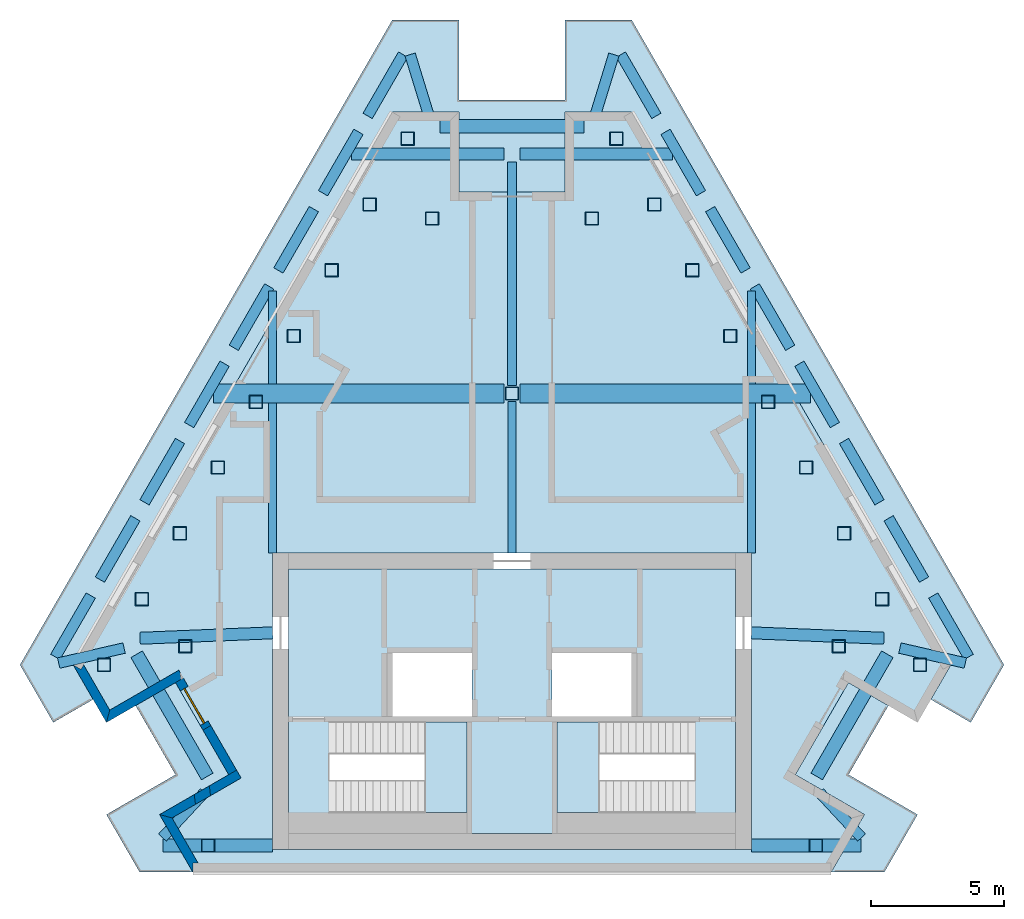
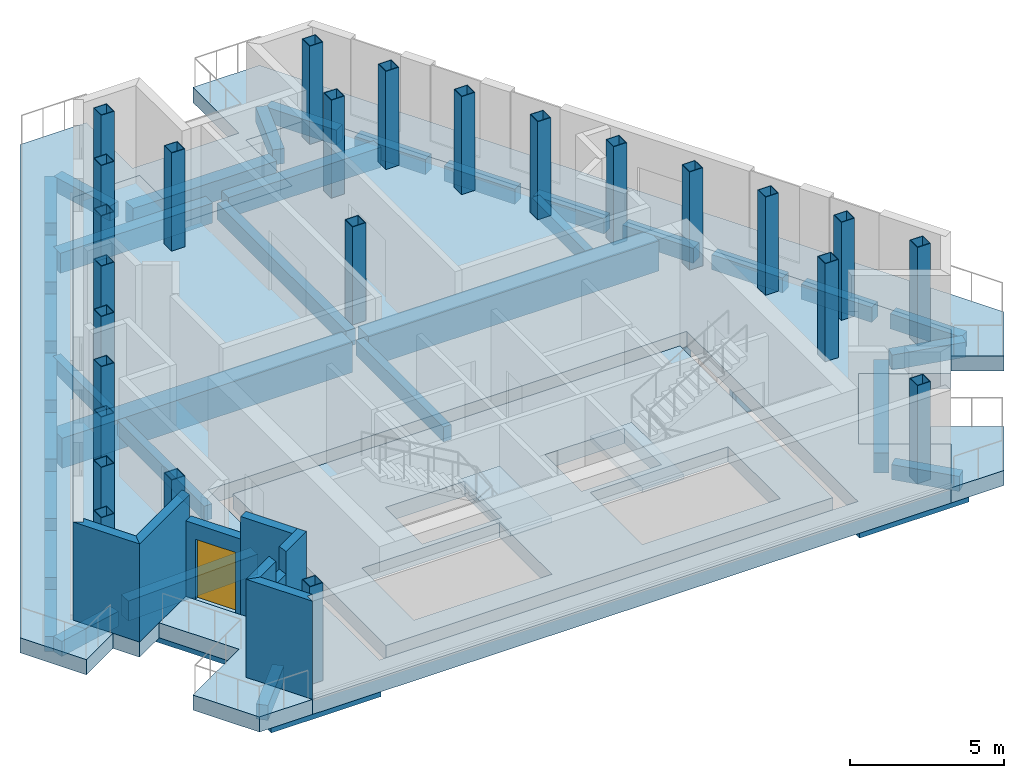
# One storey, part 1 of 4: 39 beams, 25 columns, 8 walls, 7 slabs, 1 door, 1 opening, 2 elements without a shape of their own.
"""IFC4 building model written with IfcOpenShell, lengths in metres."""

from ifc_helpers import new_model, si_unit, direction, frame, frame_2d, origin, origin_2d, place, context, subcontext, project, spatial, polyline, rectangle, hollow_rectangle, outline, extrude, material, layer, layer_set, material_profile, profile_set, type_object, element, fill, aggregate, save


model = new_model("IFC4")

# Units and contexts
model_context = context("Model", 3, precision=1e-05, world=origin(), true_north=direction((0.0, 1.0)))
body_context = subcontext(model_context, "Body", "Model", "MODEL_VIEW")
ifc_project = project(units=[si_unit("LENGTHUNIT", "METRE"), si_unit("AREAUNIT", "SQUARE_METRE"), si_unit("VOLUMEUNIT", "CUBIC_METRE"), si_unit("PLANEANGLEUNIT", "RADIAN"), si_unit("MASSUNIT", "GRAM", prefix="KILO")], contexts=[model_context])

# Site, building, storey
site_placement = place(None, origin())
site = spatial("IfcSite", under=ifc_project, at=site_placement, CompositionType="ELEMENT")
building_placement = place(site_placement, origin())
building = spatial("IfcBuilding", under=site, at=building_placement, Name="Fogline Exchange Tower", CompositionType="ELEMENT")
storey_placement = place(building_placement, frame((0.0, 0.0, 355.10009765625)))
storey = spatial("IfcBuildingStorey", under=building, at=storey_placement, Name="L80", CompositionType="ELEMENT", Elevation=355.10009765625)

# Columns
ifc_material_1 = material(Name="Steel Q355B", Category="steel")
ifc_material_profile_1 = material_profile(ifc_material_1, hollow_rectangle(XDim=0.5, YDim=0.5, WallThickness=0.02490234375, at=origin_2d()), Name="BOX500X500X25")
ifc_profile_set_1 = profile_set([ifc_material_profile_1], Name="Steel Q355B")
column_type = type_object("IfcColumnType", Name="C09", PredefinedType="COLUMN", material=ifc_profile_set_1)
for number, where, z_axis, x_axis, name in (
    (1, (-15.34521484375, 7.794189453125, 0.0), (0.0, 0.0, 1.0), (1.0, 0.0, 0.0), "SW-a"),
    (2, (-12.285888671875, 8.4951171875, 0.0), (0.0, 0.0, 1.0), (1.0, 0.0, 0.0), "SW-p4"),
    (3, (-11.422607421875, 1.0, 0.0), (0.0, 0.0, 1.0), (1.0, 0.0, 0.0), "SW-b"),
    (4, (11.422607421875, 1.0, 0.0), (0.0, 0.0, 1.0), (1.0, 0.0, 0.0), "SE-a"),
    (5, (12.285888671875, 8.4951171875, 0.0), (0.0, 0.0, 1.0), (1.0, 0.0, 0.0), "SE-p3"),
    (6, (15.34521484375, 7.794189453125, 0.0), (0.0, 0.0, 1.0), (1.0, 0.0, 0.0), "SE-b"),
    (7, (13.91748046875, 10.267333984375, 0.0), (0.0, 0.0, 1.0), (1.0, 0.0, 0.0), "E1"),
    (8, (12.489501953125, 12.740478515625, 0.0), (0.0, 0.0, 1.0), (1.0, 0.0, 0.0), "E2"),
    (9, (11.061767578125, 15.21337890625, 0.0), (0.0, 0.0, 1.0), (1.0, 0.0, 0.0), "E3"),
    (10, (9.634033203125, 17.6865234375, 0.0), (0.0, 0.0, 1.0), (1.0, 0.0, 0.0), "E4"),
    (11, (8.2060546875, 20.15966796875, 0.0), (0.0, 0.0, 1.0), (1.0, 0.0, 0.0), "E5"),
    (12, (6.7783203125, 22.6328125, 0.0), (0.0, 0.0, 1.0), (1.0, 0.0, 0.0), "E6"),
    (13, (5.3505859375, 25.105712890625, 0.0), (0.0, 0.0, 1.0), (1.0, 0.0, 0.0), "E7"),
    (14, (3.922607421875, 27.578857421875, 0.0), (0.0, 0.0, 1.0), (1.0, 0.0, 0.0), "N-a"),
    (15, (3.0, 24.578857421875, 0.0), (0.0, 0.0, 1.0), (1.0, 0.0, 0.0), "N-p4"),
    (16, (-3.0, 24.578857421875, 0.0), (0.0, 0.0, 1.0), (1.0, 0.0, 0.0), "N-p3"),
    (17, (-3.922607421875, 27.578857421875, 0.0), (0.0, 0.0, 1.0), (1.0, 0.0, 0.0), "N-b"),
    (18, (-5.3505859375, 25.105712890625, 0.0), (0.0, 0.0, 1.0), (1.0, 0.0, 0.0), "W1"),
    (19, (-6.7783203125, 22.6328125, 0.0), (0.0, 0.0, 1.0), (1.0, 0.0, 0.0), "W2"),
    (20, (-8.2060546875, 20.15966796875, 0.0), (0.0, 0.0, 1.0), (1.0, 0.0, 0.0), "W3"),
    (21, (-9.634033203125, 17.6865234375, 0.0), (0.0, 0.0, 1.0), (1.0, 0.0, 0.0), "W4"),
    (22, (-11.061767578125, 15.21337890625, 0.0), (0.0, 0.0, 1.0), (1.0, 0.0, 0.0), "W5"),
    (23, (-12.489501953125, 12.740478515625, 0.0), (0.0, 0.0, 1.0), (1.0, 0.0, 0.0), "W6"),
    (24, (-13.91748046875, 10.267333984375, 0.0), (0.0, 0.0, 1.0), (1.0, 0.0, 0.0), "W7"),
    (25, (0.0, 18.0, 0.0), (0.0, 0.0, 1.0), (1.0, 0.0, 0.0), "CI18-1"),
):
    element("IfcColumn", number, at=place(storey_placement, frame(where, z_axis=z_axis, x_axis=x_axis)), inside=storey, type_object=column_type, Name=name, PredefinedType="COLUMN", context=body_context, shape_type="SweptSolid", body=[
        extrude(hollow_rectangle(XDim=0.5, YDim=0.5, WallThickness=0.02490234375, at=origin_2d()), origin(), (0.0, 0.0, 1.0), 3.89990234375),
    ])

# Beams
ifc_material_2 = material(Name="Concrete C40", Category="concrete")
ifc_material_profile_2 = material_profile(ifc_material_2, rectangle(XDim=0.300048828125, YDim=0.60009765625, at=origin_2d()), Name="RC 300x600")
ifc_profile_set_2 = profile_set([ifc_material_profile_2], Name="Concrete C40")
beam_type_1 = type_object("IfcBeamType", Name="B06", PredefinedType="BEAM", material=ifc_profile_set_2)
beam_1_placement = place(storey_placement, frame((-9.0, 12.0, -0.900146484375), z_axis=(0.0, 1.0, 0.0), x_axis=(-1.0, 0.0, 0.0)))
element("IfcBeam", 26, at=beam_1_placement, inside=storey, type_object=beam_type_1, Name="SB001", PredefinedType="BEAM", context=body_context, shape_type="SweptSolid", body=[
    extrude(rectangle(XDim=0.300048828125, YDim=0.60009765625, at=origin_2d()), origin(), (0.0, 0.0, 1.0), 5.64990234375),
])
beam_2_placement = place(storey_placement, frame((-9.0, 18.35009765625, -0.900146484375), z_axis=(0.0, 1.0, 0.0), x_axis=(-1.0, 0.0, 0.0)))
element("IfcBeam", 27, at=beam_2_placement, inside=storey, type_object=beam_type_1, Name="SB002", PredefinedType="BEAM", context=body_context, shape_type="SweptSolid", body=[
    extrude(rectangle(XDim=0.300048828125, YDim=0.60009765625, at=origin_2d()), origin(), (0.0, 0.0, 1.0), 3.49853515625),
])
beam_3_placement = place(storey_placement, frame((0.0, 12.0, -0.900146484375), z_axis=(0.0, 1.0, 0.0), x_axis=(-1.0, 0.0, 0.0)))
element("IfcBeam", 28, at=beam_3_placement, inside=storey, type_object=beam_type_1, Name="SB003", PredefinedType="BEAM", context=body_context, shape_type="SweptSolid", body=[
    extrude(rectangle(XDim=0.300048828125, YDim=0.60009765625, at=origin_2d()), origin(), (0.0, 0.0, 1.0), 5.699951171875),
])
beam_4_placement = place(storey_placement, frame((9.0, 12.0, -0.900146484375), z_axis=(0.0, 1.0, 0.0), x_axis=(-1.0, 0.0, 0.0)))
element("IfcBeam", 29, at=beam_4_placement, inside=storey, type_object=beam_type_1, Name="SB005", PredefinedType="BEAM", context=body_context, shape_type="SweptSolid", body=[
    extrude(rectangle(XDim=0.300048828125, YDim=0.60009765625, at=origin_2d()), origin(), (0.0, 0.0, 1.0), 5.64990234375),
])
beam_5_placement = place(storey_placement, frame((9.0, 18.35009765625, -0.900146484375), z_axis=(0.0, 1.0, 0.0), x_axis=(-1.0, 0.0, 0.0)))
element("IfcBeam", 30, at=beam_5_placement, inside=storey, type_object=beam_type_1, Name="SB006", PredefinedType="BEAM", context=body_context, shape_type="SweptSolid", body=[
    extrude(rectangle(XDim=0.300048828125, YDim=0.60009765625, at=origin_2d()), origin(), (0.0, 0.0, 1.0), 3.49853515625),
])
ifc_material_profile_3 = material_profile(ifc_material_2, rectangle(XDim=0.5, YDim=0.800048828125, at=origin_2d()), Name="RC 500x800")
ifc_profile_set_3 = profile_set([ifc_material_profile_3], Name="Concrete C40")
beam_type_2 = type_object("IfcBeamType", Name="B10", PredefinedType="BEAM", material=ifc_profile_set_3)
beam_6_placement = place(storey_placement, frame((-14.11279296875, 8.1953125, -1.0), z_axis=(0.500027732385, -0.866009391893, 0.0), x_axis=(0.866009391893, 0.500027732385, 0.0)))
element("IfcBeam", 31, at=beam_6_placement, inside=storey, type_object=beam_type_2, Name="RB002", PredefinedType="BEAM", context=body_context, shape_type="SweptSolid", body=[
    extrude(rectangle(XDim=0.5, YDim=0.800048828125, at=origin_2d()), origin(), (0.0, 0.0, 1.0), 5.307373046875),
])
for number, where, z_axis, x_axis, name in (
    (32, (-13.122802734375, 1.0, -1.0), (1.0, 0.0, 0.0), (0.0, 1.0, 0.0), "RB004"),
    (33, (9.0, 1.0, -1.0), (1.0, 0.0, 0.0), (0.0, 1.0, 0.0), "RB005"),
):
    element("IfcBeam", number, at=place(storey_placement, frame(where, z_axis=z_axis, x_axis=x_axis)), inside=storey, type_object=beam_type_2, Name=name, PredefinedType="BEAM", context=body_context, shape_type="SweptSolid", body=[
        extrude(rectangle(XDim=0.5, YDim=0.800048828125, at=origin_2d()), origin(), (0.0, 0.0, 1.0), 4.122802734375),
    ])
beam_7_placement = place(storey_placement, frame((11.458984375, 3.59912109375, -1.0), z_axis=(0.500027732385, 0.866009391893, 0.0), x_axis=(-0.866009391893, 0.500027732385, 0.0)))
element("IfcBeam", 34, at=beam_7_placement, inside=storey, type_object=beam_type_2, Name="RB007", PredefinedType="BEAM", context=body_context, shape_type="SweptSolid", body=[
    extrude(rectangle(XDim=0.5, YDim=0.800048828125, at=origin_2d()), origin(), (0.0, 0.0, 1.0), 5.307373046875),
])
beam_8_placement = place(storey_placement, frame((2.699951171875, 28.04296875, -1.0), z_axis=(-1.0, 0.0, 0.0), x_axis=(0.0, -1.0, 0.0)))
element("IfcBeam", 35, at=beam_8_placement, inside=storey, type_object=beam_type_2, Name="RB018", PredefinedType="BEAM", context=body_context, shape_type="SweptSolid", body=[
    extrude(rectangle(XDim=0.5, YDim=0.800048828125, at=origin_2d()), origin(), (0.0, 0.0, 1.0), 5.39990234375),
])
ifc_material_profile_4 = material_profile(ifc_material_2, rectangle(XDim=0.39990234375, YDim=0.60009765625, at=origin_2d()), Name="RC 400x600")
ifc_profile_set_4 = profile_set([ifc_material_profile_4], Name="Concrete C40")
beam_type_3 = type_object("IfcBeamType", Name="B11", PredefinedType="BEAM", material=ifc_profile_set_4)
beam_9_placement = place(storey_placement, frame((-17.04541015625, 7.863037109375, -0.900146484375), z_axis=(0.974745483976, 0.223318699327, 0.0), x_axis=(-0.223318699327, 0.974745483976, 0.0)))
element("IfcBeam", 36, at=beam_9_placement, inside=storey, type_object=beam_type_3, Name="RB001", PredefinedType="BEAM", context=body_context, shape_type="SweptSolid", body=[
    extrude(rectangle(XDim=0.39990234375, YDim=0.60009765625, at=origin_2d()), origin(), (0.0, 0.0, 1.0), 2.523193359375),
])
for number, where, z_axis, x_axis, name in (
    (37, (-11.564697265625, 2.9990234375, -0.900146484375), (-0.680794187336, -0.732474760308, 0.0), (0.732474760308, -0.680794187336, 0.0), "RB003"),
    (38, (13.143798828125, 1.300048828125, -0.900146484375), (-0.680794187336, 0.732474760308, 0.0), (-0.732474760308, -0.680794187336, 0.0), "RB006"),
):
    element("IfcBeam", number, at=place(storey_placement, frame(where, z_axis=z_axis, x_axis=x_axis)), inside=storey, type_object=beam_type_3, Name=name, PredefinedType="BEAM", context=body_context, shape_type="SweptSolid", body=[
        extrude(rectangle(XDim=0.39990234375, YDim=0.60009765625, at=origin_2d()), origin(), (0.0, 0.0, 1.0), 2.319580078125),
    ])
beam_10_placement = place(storey_placement, frame((14.5859375, 8.426513671875, -0.900146484375), z_axis=(0.974745483976, -0.223318699327, 0.0), x_axis=(0.223318699327, 0.974745483976, 0.0)))
element("IfcBeam", 39, at=beam_10_placement, inside=storey, type_object=beam_type_3, Name="RB008", PredefinedType="BEAM", context=body_context, shape_type="SweptSolid", body=[
    extrude(rectangle(XDim=0.39990234375, YDim=0.60009765625, at=origin_2d()), origin(), (0.0, 0.0, 1.0), 2.523193359375),
])
for number, where, z_axis, x_axis, name in (
    (40, (17.172119140625, 8.09423828125, -0.900146484375), (-0.499955258969, 0.86605123349, 0.0), (-0.86605123349, -0.499955258969, 0.0), "RB009"),
    (41, (15.494384765625, 11.000244140625, -0.900146484375), (-0.500024021674, 0.86601153442, 0.0), (-0.86601153442, -0.500024021674, 0.0), "RB010"),
):
    element("IfcBeam", number, at=place(storey_placement, frame(where, z_axis=z_axis, x_axis=x_axis)), inside=storey, type_object=beam_type_3, Name=name, PredefinedType="BEAM", context=body_context, shape_type="SweptSolid", body=[
        extrude(rectangle(XDim=0.39990234375, YDim=0.60009765625, at=origin_2d()), origin(), (0.0, 0.0, 1.0), 2.662841796875),
    ])
beam_11_placement = place(storey_placement, frame((13.81640625, 13.906494140625, -0.900146484375), z_axis=(-0.499994959755, 0.866028313752, 0.0), x_axis=(-0.866028313752, -0.499994959755, 0.0)))
element("IfcBeam", 42, at=beam_11_placement, inside=storey, type_object=beam_type_3, Name="RB011", PredefinedType="BEAM", context=body_context, shape_type="SweptSolid", body=[
    extrude(rectangle(XDim=0.39990234375, YDim=0.60009765625, at=origin_2d()), origin(), (0.0, 0.0, 1.0), 2.66259765625),
])
for number, where, z_axis, x_axis, name in (
    (43, (12.138671875, 16.8125, -0.900146484375), (-0.500024021674, 0.86601153442, 0.0), (-0.86601153442, -0.500024021674, 0.0), "RB012"),
    (44, (10.460693359375, 19.718505859375, -0.900146484375), (-0.499955258969, 0.86605123349, 0.0), (-0.86605123349, -0.499955258969, 0.0), "RB013"),
    (45, (8.782958984375, 22.624755859375, -0.900146484375), (-0.500024021674, 0.86601153442, 0.0), (-0.86601153442, -0.500024021674, 0.0), "RB014"),
    (46, (7.10498046875, 25.53076171875, -0.900146484375), (-0.499955258969, 0.86605123349, 0.0), (-0.86605123349, -0.499955258969, 0.0), "RB015"),
):
    element("IfcBeam", number, at=place(storey_placement, frame(where, z_axis=z_axis, x_axis=x_axis)), inside=storey, type_object=beam_type_3, Name=name, PredefinedType="BEAM", context=body_context, shape_type="SweptSolid", body=[
        extrude(rectangle(XDim=0.39990234375, YDim=0.60009765625, at=origin_2d()), origin(), (0.0, 0.0, 1.0), 2.662841796875),
    ])
beam_12_placement = place(storey_placement, frame((5.42724609375, 28.43701171875, -0.900146484375), z_axis=(-0.499994959755, 0.866028313752, 0.0), x_axis=(-0.866028313752, -0.499994959755, 0.0)))
element("IfcBeam", 47, at=beam_12_placement, inside=storey, type_object=beam_type_3, Name="RB016", PredefinedType="BEAM", context=body_context, shape_type="SweptSolid", body=[
    extrude(rectangle(XDim=0.39990234375, YDim=0.60009765625, at=origin_2d()), origin(), (0.0, 0.0, 1.0), 2.66259765625),
])
for number, where, z_axis, x_axis, name in (
    (48, (3.830322265625, 30.742919921875, -0.900146484375), (-0.293942357734, -0.95582314804, 0.0), (0.95582314804, -0.293942357734, 0.0), "RB017"),
    (49, (-3.09228515625, 28.343017578125, -0.900146484375), (-0.293942357734, 0.95582314804, 0.0), (-0.95582314804, -0.293942357734, 0.0), "RB019"),
):
    element("IfcBeam", number, at=place(storey_placement, frame(where, z_axis=z_axis, x_axis=x_axis)), inside=storey, type_object=beam_type_3, Name=name, PredefinedType="BEAM", context=body_context, shape_type="SweptSolid", body=[
        extrude(rectangle(XDim=0.39990234375, YDim=0.60009765625, at=origin_2d()), origin(), (0.0, 0.0, 1.0), 2.5107421875),
    ])
beam_13_placement = place(storey_placement, frame((-4.095947265625, 30.742919921875, -0.900146484375), z_axis=(-0.499994959755, -0.866028313752, 0.0), x_axis=(0.866028313752, -0.499994959755, 0.0)))
element("IfcBeam", 50, at=beam_13_placement, inside=storey, type_object=beam_type_3, Name="RB020", PredefinedType="BEAM", context=body_context, shape_type="SweptSolid", body=[
    extrude(rectangle(XDim=0.39990234375, YDim=0.60009765625, at=origin_2d()), origin(), (0.0, 0.0, 1.0), 2.66259765625),
])
for number, where, z_axis, x_axis, name in (
    (51, (-5.773681640625, 27.8369140625, -0.900146484375), (-0.499955258969, -0.86605123349, 0.0), (0.86605123349, -0.499955258969, 0.0), "RB021"),
    (52, (-7.451416015625, 24.930908203125, -0.900146484375), (-0.500024021674, -0.86601153442, 0.0), (0.86601153442, -0.500024021674, 0.0), "RB022"),
    (53, (-9.12939453125, 22.024658203125, -0.900146484375), (-0.499955258969, -0.86605123349, 0.0), (0.86605123349, -0.499955258969, 0.0), "RB023"),
    (54, (-10.80712890625, 19.11865234375, -0.900146484375), (-0.500024021674, -0.86601153442, 0.0), (0.86601153442, -0.500024021674, 0.0), "RB024"),
):
    element("IfcBeam", number, at=place(storey_placement, frame(where, z_axis=z_axis, x_axis=x_axis)), inside=storey, type_object=beam_type_3, Name=name, PredefinedType="BEAM", context=body_context, shape_type="SweptSolid", body=[
        extrude(rectangle(XDim=0.39990234375, YDim=0.60009765625, at=origin_2d()), origin(), (0.0, 0.0, 1.0), 2.662841796875),
    ])
beam_14_placement = place(storey_placement, frame((-12.485107421875, 16.21240234375, -0.900146484375), z_axis=(-0.499994959755, -0.866028313752, 0.0), x_axis=(0.866028313752, -0.499994959755, 0.0)))
element("IfcBeam", 55, at=beam_14_placement, inside=storey, type_object=beam_type_3, Name="RB025", PredefinedType="BEAM", context=body_context, shape_type="SweptSolid", body=[
    extrude(rectangle(XDim=0.39990234375, YDim=0.60009765625, at=origin_2d()), origin(), (0.0, 0.0, 1.0), 2.66259765625),
])
for number, where, z_axis, x_axis, name in (
    (56, (-14.162841796875, 13.306396484375, -0.900146484375), (-0.500024021674, -0.86601153442, 0.0), (0.86601153442, -0.500024021674, 0.0), "RB026"),
    (57, (-15.8408203125, 10.400390625, -0.900146484375), (-0.499955258969, -0.86605123349, 0.0), (0.86605123349, -0.499955258969, 0.0), "RB027"),
):
    element("IfcBeam", number, at=place(storey_placement, frame(where, z_axis=z_axis, x_axis=x_axis)), inside=storey, type_object=beam_type_3, Name=name, PredefinedType="BEAM", context=body_context, shape_type="SweptSolid", body=[
        extrude(rectangle(XDim=0.39990234375, YDim=0.60009765625, at=origin_2d()), origin(), (0.0, 0.0, 1.0), 2.662841796875),
    ])
ifc_material_profile_5 = material_profile(ifc_material_2, rectangle(XDim=0.35009765625, YDim=0.64990234375, at=origin_2d()), Name="RC 350x650")
ifc_profile_set_5 = profile_set([ifc_material_profile_5], Name="Concrete C40")
beam_type_4 = type_object("IfcBeamType", Name="B16", PredefinedType="BEAM", material=ifc_profile_set_5)
beam_15_placement = place(storey_placement, frame((0.0, 18.300048828125, -0.925048828125), z_axis=(0.0, 1.0, 0.0), x_axis=(-1.0, 0.0, 0.0)))
element("IfcBeam", 58, at=beam_15_placement, inside=storey, type_object=beam_type_4, Name="SB004", PredefinedType="BEAM", context=body_context, shape_type="SweptSolid", body=[
    extrude(rectangle(XDim=0.35009765625, YDim=0.64990234375, at=origin_2d()), origin(), (0.0, 0.0, 1.0), 8.39990234375),
])
ifc_material_profile_6 = material_profile(ifc_material_2, rectangle(XDim=0.699951171875, YDim=1.199951171875, at=origin_2d()), Name="RC 700x1200")
ifc_profile_set_6 = profile_set([ifc_material_profile_6], Name="Concrete C40")
beam_type_5 = type_object("IfcBeamType", Name="B17", PredefinedType="BEAM", material=ifc_profile_set_6)
for number, where, z_axis, x_axis, name in (
    (59, (-11.22216796875, 18.0, -1.2001953125), (1.0, 0.0, 0.0), (0.0, 1.0, 0.0), "GB003"),
    (60, (0.300048828125, 18.0, -1.2001953125), (1.0, 0.0, 0.0), (0.0, 1.0, 0.0), "GB004"),
):
    element("IfcBeam", number, at=place(storey_placement, frame(where, z_axis=z_axis, x_axis=x_axis)), inside=storey, type_object=beam_type_5, Name=name, PredefinedType="BEAM", context=body_context, shape_type="SweptSolid", body=[
        extrude(rectangle(XDim=0.699951171875, YDim=1.199951171875, at=origin_2d()), origin(), (0.0, 0.0, 1.0), 10.922119140625),
    ])
ifc_material_profile_7 = material_profile(ifc_material_2, rectangle(XDim=0.449951171875, YDim=0.800048828125, at=origin_2d()), Name="RC 450x800")
ifc_profile_set_7 = profile_set([ifc_material_profile_7], Name="Concrete C40")
beam_type_6 = type_object("IfcBeamType", Name="B18", PredefinedType="BEAM", material=ifc_profile_set_7)
for number, where, z_axis, x_axis, name in (
    (61, (-13.98583984375, 8.795166015625, -1.0), (0.999157154355, 0.041048518877, 0.0), (-0.041048518877, 0.999157154355, 0.0), "GB001"),
    (62, (9.0, 9.0, -1.0), (0.999157154355, -0.041048518877, 0.0), (0.041048518877, 0.999157154355, 0.0), "GB002"),
):
    element("IfcBeam", number, at=place(storey_placement, frame(where, z_axis=z_axis, x_axis=x_axis)), inside=storey, type_object=beam_type_6, Name=name, PredefinedType="BEAM", context=body_context, shape_type="SweptSolid", body=[
        extrude(rectangle(XDim=0.449951171875, YDim=0.800048828125, at=origin_2d()), origin(), (0.0, 0.0, 1.0), 4.989990234375),
    ])
for number, where, z_axis, x_axis, name in (
    (63, (-6.02587890625, 27.0, -1.0), (1.0, 0.0, 0.0), (0.0, 1.0, 0.0), "GB005"),
    (64, (0.300048828125, 27.0, -1.0), (1.0, 0.0, 0.0), (0.0, 1.0, 0.0), "GB006"),
):
    element("IfcBeam", number, at=place(storey_placement, frame(where, z_axis=z_axis, x_axis=x_axis)), inside=storey, type_object=beam_type_6, Name=name, PredefinedType="BEAM", context=body_context, shape_type="SweptSolid", body=[
        extrude(rectangle(XDim=0.449951171875, YDim=0.800048828125, at=origin_2d()), origin(), (0.0, 0.0, 1.0), 5.725830078125),
    ])

# Slabs
ifc_layer_1 = layer(ifc_material_2, 0.60009765625)
ifc_layer_set_1 = layer_set([ifc_layer_1], Name="S09")
slab_type_1 = type_object("IfcSlabType", Name="S09", PredefinedType="FLOOR", material=ifc_layer_set_1)
slab_1_placement = place(storey_placement, frame((0.0, 0.0, -0.60009765625)))
element("IfcSlab", 65, at=slab_1_placement, inside=storey, type_object=slab_type_1, Name="TRANSFER SLAB L80", PredefinedType="FLOOR", context=body_context, shape_type="SweptSolid", body=[
    extrude(outline(polyline([(-4.5, 28.578857421875), (-16.5, 7.794189453125), (-15.25, 5.629150390625), (-12.65185546875, 7.129150390625), (-10.65185546875, 3.6650390625), (-13.25, 2.1650390625), (-12.0, 0.0), (12.0, 0.0), (13.25, 2.1650390625), (10.65185546875, 3.6650390625), (12.65185546875, 7.129150390625), (15.25, 5.629150390625), (16.5, 7.794189453125), (4.5, 28.578857421875), (2.0, 28.578857421875), (2.0, 25.578857421875), (-2.0, 25.578857421875), (-2.0, 28.578857421875), (-4.5, 28.578857421875)]), holes=[polyline([(9.0, 0.85009765625), (-9.0, 0.85009765625), (-9.0, 12.0), (9.0, 12.0), (9.0, 0.85009765625)])]), origin(), (0.0, 0.0, 1.0), 0.60009765625),
])
slab_2_placement = place(storey_placement, frame((0.0, 0.0, -0.60009765625)))
element("IfcSlab", 66, at=slab_2_placement, inside=storey, type_object=slab_type_1, Name="Core floor slab", PredefinedType="FLOOR", context=body_context, shape_type="SweptSolid", body=[
    extrude(outline(polyline([(-8.39990234375, 11.39990234375), (8.39990234375, 11.39990234375), (8.39990234375, 1.449951171875), (-8.39990234375, 1.449951171875), (-8.39990234375, 11.39990234375)]), holes=[polyline([(-6.889892578125, 2.25), (-1.699951171875, 2.25), (-1.699951171875, 5.64990234375), (-6.889892578125, 5.64990234375), (-6.889892578125, 2.25)]), polyline([(1.699951171875, 2.25), (6.889892578125, 2.25), (6.889892578125, 5.64990234375), (1.699951171875, 5.64990234375), (1.699951171875, 2.25)]), polyline([(-4.5, 5.85009765625), (-1.5, 5.85009765625), (-1.5, 8.25), (-4.5, 8.25), (-4.5, 5.85009765625)]), polyline([(1.5, 5.85009765625), (4.5, 5.85009765625), (4.5, 8.25), (1.5, 8.25), (1.5, 5.85009765625)])]), origin(), (0.0, 0.0, 1.0), 0.60009765625),
])
ifc_layer_2 = layer(ifc_material_2, 0.60009765625)
ifc_layer_set_2 = layer_set([ifc_layer_2], Name="S10")
slab_type_2 = type_object("IfcSlabType", Name="S10", PredefinedType="FLOOR", material=ifc_layer_set_2)
slab_3_placement = place(storey_placement, frame((0.0, 0.0, -0.60009765625)))
element("IfcSlab", 67, at=slab_3_placement, inside=storey, type_object=slab_type_2, Name="SLAB L80 TERRACE", PredefinedType="FLOOR", context=body_context, shape_type="SweptSolid", body=[
    extrude(outline(polyline([(-17.25, 5.629150390625), (-15.75, 6.4951171875), (-16.5, 7.794189453125), (-4.5, 28.578857421875), (-2.0, 28.578857421875), (-2.0, 25.578857421875), (2.0, 25.578857421875), (2.0, 28.578857421875), (4.5, 28.578857421875), (16.5, 7.794189453125), (15.75, 6.4951171875), (17.25, 5.629150390625), (18.5, 7.794189453125), (4.5, 32.04296875), (2.0, 32.04296875), (2.0, 29.04296875), (-2.0, 29.04296875), (-2.0, 32.04296875), (-4.5, 32.04296875), (-18.5, 7.794189453125), (-17.25, 5.629150390625)])), origin(), (0.0, 0.0, 1.0), 0.60009765625),
])
slab_4_placement = place(storey_placement, frame((0.0, 0.0, -0.60009765625)))
element("IfcSlab", 68, at=slab_4_placement, inside=storey, type_object=slab_type_2, Name="SLAB L80 TERRACE", PredefinedType="FLOOR", context=body_context, shape_type="SweptSolid", body=[
    extrude(outline(polyline([(12.65185546875, 3.6650390625), (14.15185546875, 6.26318359375), (12.65185546875, 7.129150390625), (10.65185546875, 3.6650390625), (13.25, 2.1650390625), (12.0, 0.0), (14.0, 0.0), (15.25, 2.1650390625), (12.65185546875, 3.6650390625)])), origin(), (0.0, 0.0, 1.0), 0.60009765625),
])
slab_5_placement = place(storey_placement, frame((0.0, 0.0, -0.60009765625)))
element("IfcSlab", 69, at=slab_5_placement, inside=storey, type_object=slab_type_2, Name="SLAB L80 TERRACE", PredefinedType="FLOOR", context=body_context, shape_type="SweptSolid", body=[
    extrude(outline(polyline([(-14.0, 0.0), (-12.0, 0.0), (-13.25, 2.1650390625), (-10.65185546875, 3.6650390625), (-12.65185546875, 7.129150390625), (-14.15185546875, 6.26318359375), (-12.65185546875, 3.6650390625), (-15.25, 2.1650390625), (-14.0, 0.0)])), origin(), (0.0, 0.0, 1.0), 0.60009765625),
])

# Stair, slab
stair_type = type_object("IfcStairType", Name="STR28-1607W1200", PredefinedType="HALF_TURN_STAIR", material=ifc_material_2)
stair_1_placement = place(storey_placement, origin())
stair_1 = element("IfcStair", 70, at=stair_1_placement, inside=storey, type_object=stair_type, Name="Stair CS1", PredefinedType="HALF_TURN_STAIR")
ifc_layer_3 = layer(ifc_material_2, 0.199951171875)
ifc_layer_set_3 = layer_set([ifc_layer_3], Name="SL200")
slab_type_3 = type_object("IfcSlabType", Name="SL200", PredefinedType="LANDING", material=ifc_layer_set_3)
slab_6_placement = place(storey_placement, frame((0.0, 0.0, 2.0498046875)))
slab_6 = element("IfcSlab", 71, at=slab_6_placement, type_object=slab_type_3, Name="CS1 landing 1", PredefinedType="LANDING", context=body_context, shape_type="SweptSolid", body=[
    extrude(outline(polyline([(-3.260009765625, 2.25), (-1.699951171875, 2.25), (-1.699951171875, 5.64990234375), (-3.260009765625, 5.64990234375), (-3.260009765625, 2.25)])), origin(), (0.0, 0.0, 1.0), 0.2001953125),
])
aggregate(stair_1, [slab_6])

stair_2_placement = place(storey_placement, origin())
stair_2 = element("IfcStair", 72, at=stair_2_placement, inside=storey, type_object=stair_type, Name="Stair CS2", PredefinedType="HALF_TURN_STAIR")
slab_7_placement = place(storey_placement, frame((0.0, 0.0, 2.0498046875)))
slab_7 = element("IfcSlab", 73, at=slab_7_placement, type_object=slab_type_3, Name="CS2 landing 1", PredefinedType="LANDING", context=body_context, shape_type="SweptSolid", body=[
    extrude(outline(polyline([(1.699951171875, 2.25), (3.260009765625, 2.25), (3.260009765625, 5.64990234375), (1.699951171875, 5.64990234375), (1.699951171875, 2.25)])), origin(), (0.0, 0.0, 1.0), 0.2001953125),
])
aggregate(stair_2, [slab_7])

# Walls
ifc_material_3 = material(Name="Brick masonry", Category="masonry")
ifc_layer_4 = layer(ifc_material_3, 0.340087890625)
ifc_layer_set_4 = layer_set([ifc_layer_4], Name="FW1")
wall_type = type_object("IfcWallType", Name="FW1", PredefinedType="SOLIDWALL", material=ifc_layer_set_4)
wall_1_placement = place(storey_placement, origin())
element("IfcWall", 74, at=wall_1_placement, inside=storey, type_object=wall_type, Name="Brick wall L80 SW-c1", PredefinedType="SOLIDWALL", context=body_context, shape_type="SweptSolid", body=[
    extrude(outline(polyline([(-15.25, 5.6279296875), (-16.5009765625, 7.794921875), (-16.500732421875, 7.79541015625), (-16.205810546875, 7.625), (-16.107421875, 7.79541015625), (-15.125, 6.09375), (-15.249755859375, 5.6279296875), (-15.25, 5.6279296875)])), origin(), (0.0, 0.0, 1.0), 3.89990234375),
])
wall_2_placement = place(storey_placement, origin())
element("IfcWall", 75, at=wall_2_placement, inside=storey, type_object=wall_type, Name="Brick wall L80 SW-s1", PredefinedType="SOLIDWALL", context=body_context, shape_type="SweptSolid", body=[
    extrude(outline(polyline([(-12.473388671875, 7.501220703125), (-12.4443359375, 7.248291015625), (-12.651611328125, 7.128662109375), (-15.25048828125, 5.628173828125), (-15.250732421875, 5.62841796875), (-15.1259765625, 6.093994140625), (-12.52734375, 7.594482421875), (-12.473388671875, 7.501220703125)])), origin(), (0.0, 0.0, 1.0), 3.89990234375),
])

# Wall, opening, door
wall_3_placement = place(storey_placement, frame((-12.504638671875, 7.214111328125, 0.0), z_axis=(0.0, 0.0, 1.0), x_axis=(0.500023100387, -0.866012066359, 0.0)))
wall_3 = element("IfcWall", 76, at=wall_3_placement, inside=storey, type_object=wall_type, Name="Brick wall L80 SW-bk", PredefinedType="SOLIDWALL", context=body_context, shape_type="SweptSolid", body=[
    extrude(rectangle(XDim=2.06201171875, YDim=0.340087890625, at=frame_2d((1.031005859375, 0.0))), origin(), (0.0, 0.0, 1.0), 3.0),
])
opening_placement = place(wall_3_placement, frame((0.362060546875, 0.0, 0.0)))
opening = element("IfcOpeningElement", 77, at=opening_placement, cuts=wall_3, Name="Opening L80-E021", PredefinedType="OPENING", context=body_context, shape_type="SweptSolid", body=[
    extrude(rectangle(XDim=1.5, YDim=2.39990234375, at=frame_2d((0.75, 1.199951171875))), frame((0.0, 0.18017578125, 0.0), z_axis=(0.0, -1.0, 0.0), x_axis=(1.0, 0.0, 0.0)), (0.0, 0.0, 1.0), 0.360107421875),
])
ifc_material_4 = material(Name="Aluminium and glass", Category="aluminium")
door_type = type_object("IfcDoorType", Name="ED4", OperationType="SINGLE_SWING_LEFT", PredefinedType="DOOR", material=ifc_material_4)
door_placement = place(opening_placement, frame((1.5, 0.0, 0.0), z_axis=(0.0, 0.0, 1.0), x_axis=(-1.0, 0.0, 0.0)))
door = element("IfcDoor", 78, at=door_placement, inside=storey, type_object=door_type, Name="Balcony door L80 SW", OperationType="DOUBLE_DOOR_SINGLE_SWING", OverallHeight=2.39990234375, OverallWidth=1.5, PredefinedType="DOOR", context=body_context, shape_type="SweptSolid", body=[
    extrude(rectangle(XDim=1.5, YDim=2.39990234375, at=frame_2d((0.75, 1.199951171875))), frame((0.0, 0.02490234375, 0.0), z_axis=(0.0, -1.0, 0.0), x_axis=(1.0, 0.0, 0.0)), (0.0, 0.0, 1.0), 0.050048828125),
])
fill(opening, door)

# Walls
wall_4_placement = place(storey_placement, frame((-11.4736328125, 5.428466796875, 0.0), z_axis=(0.0, 0.0, 1.0), x_axis=(0.499973253207, -0.866040845502, 0.0)))
element("IfcWall", 79, at=wall_4_placement, inside=storey, type_object=wall_type, Name="Brick wall L80 SW-bk", PredefinedType="SOLIDWALL", context=body_context, shape_type="SweptSolid", body=[
    extrude(rectangle(XDim=1.93798828125, YDim=0.340087890625, at=frame_2d((0.968994140625, 0.0))), origin(), (0.0, 0.0, 1.0), 3.89990234375),
])
wall_5_placement = place(storey_placement, origin())
element("IfcWall", 80, at=wall_5_placement, inside=storey, type_object=wall_type, Name="Brick wall L80 SW-s2", PredefinedType="SOLIDWALL", context=body_context, shape_type="SweptSolid", body=[
    extrude(outline(polyline([(-11.37939453125, 3.245849609375), (-11.336669921875, 2.87646484375), (-11.903076171875, 2.549560546875), (-11.945556640625, 2.9189453125), (-11.37939453125, 3.245849609375)])), origin(), (0.0, 0.0, 1.0), 3.0),
])
wall_6_placement = place(storey_placement, origin())
element("IfcWall", 81, at=wall_6_placement, inside=storey, type_object=wall_type, Name="Brick wall L80 SW-s2", PredefinedType="SOLIDWALL", context=body_context, shape_type="SweptSolid", body=[
    extrude(outline(polyline([(-11.945556640625, 2.9189453125), (-11.903076171875, 2.549560546875), (-12.785400390625, 2.0400390625), (-13.251220703125, 2.164794921875), (-13.251220703125, 2.1650390625), (-11.945556640625, 2.9189453125)])), origin(), (0.0, 0.0, 1.0), 3.89990234375),
])
wall_7_placement = place(storey_placement, origin())
element("IfcWall", 82, at=wall_7_placement, inside=storey, type_object=wall_type, Name="Brick wall L80 SW-s2", PredefinedType="SOLIDWALL", context=body_context, shape_type="SweptSolid", body=[
    extrude(outline(polyline([(-10.652099609375, 3.66552734375), (-10.357177734375, 3.8359375), (-10.186767578125, 3.540283203125), (-11.336669921875, 2.87646484375), (-11.37939453125, 3.245849609375), (-10.652099609375, 3.66552734375)])), origin(), (0.0, 0.0, 1.0), 3.89990234375),
])
wall_8_placement = place(storey_placement, origin())
element("IfcWall", 83, at=wall_8_placement, inside=storey, type_object=wall_type, Name="Brick wall L80 SW-c2", PredefinedType="SOLIDWALL", context=body_context, shape_type="SweptSolid", body=[
    extrude(outline(polyline([(-11.802734375, 0.33935546875), (-11.99951171875, 0.33935546875), (-11.99951171875, -0.0009765625), (-12.0, -0.001220703125), (-13.2509765625, 2.165771484375), (-13.2509765625, 2.166015625), (-12.78515625, 2.041015625), (-11.802734375, 0.33935546875)])), origin(), (0.0, 0.0, 1.0), 3.89990234375),
])

save(model, "model.ifc")
